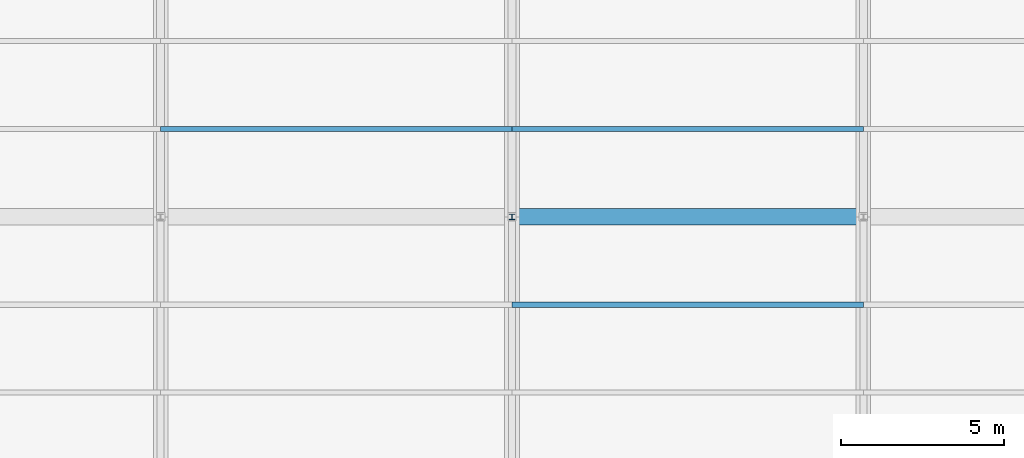
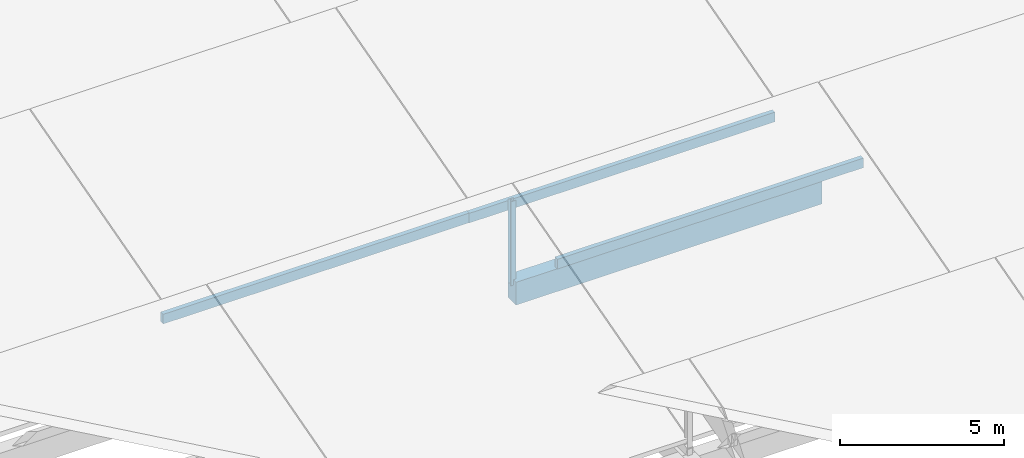
# One storey, part 12 of 112: 4 members, 1 beam.
"""IFC4 building model written with IfcOpenShell, lengths in metres."""

from ifc_helpers import new_model, si_unit, direction, frame, origin, origin_2d, place, context, subcontext, project, spatial, rectangle, i_section, extrude, material, material_profile, profile_set, type_object, element, save


model = new_model("IFC4")

# Units and contexts
model_context = context("Model", 3, precision=1e-05, world=origin(), true_north=direction((0.0, 1.0)))
body_context = subcontext(model_context, "Body", "Model", "MODEL_VIEW")
ifc_project = project(units=[si_unit("LENGTHUNIT", "METRE"), si_unit("AREAUNIT", "SQUARE_METRE"), si_unit("VOLUMEUNIT", "CUBIC_METRE"), si_unit("PLANEANGLEUNIT", "RADIAN"), si_unit("MASSUNIT", "GRAM", prefix="KILO")], contexts=[model_context])

# Site, building, storey
site_placement = place(None, origin())
site = spatial("IfcSite", under=ifc_project, at=site_placement, CompositionType="ELEMENT")
building_placement = place(site_placement, origin())
building = spatial("IfcBuilding", under=site, at=building_placement, Name="Zwinboog Wholesale Market", CompositionType="ELEMENT")
storey_placement = place(building_placement, frame((0.0, 0.0, 19.080078125)))
storey = spatial("IfcBuildingStorey", under=building, at=storey_placement, Name="Roof", CompositionType="ELEMENT", Elevation=19.080078125)

# Beam
ifc_material_1 = material(Name="Precast concrete C45/55", Category="concrete")
ifc_material_profile_1 = material_profile(ifc_material_1, rectangle(XDim=0.5, YDim=0.85009765625, at=origin_2d()), Name="PC 500x850")
ifc_profile_set_1 = profile_set([ifc_material_profile_1], Name="Precast concrete C45/55")
beam_type = type_object("IfcBeamType", Name="BT-03", PredefinedType="BEAM", material=ifc_profile_set_1)
beam_placement = place(storey_placement, frame((21.60009765625, 43.199951171875, -9.425048828125), z_axis=(1.0, 0.0, 0.0), x_axis=(0.0, 1.0, 0.0)))
element("IfcBeam", 1, at=beam_placement, inside=storey, type_object=beam_type, Name="BG-03 (BMG-Roof-0216-0432-1165)", PredefinedType="BEAM", context=body_context, shape_type="SweptSolid", body=[
    extrude(rectangle(XDim=0.5, YDim=0.85009765625, at=origin_2d()), origin(), (0.0, 0.0, 1.0), 10.7998046875),
])

# Members
ifc_material_2 = material(Name="Steel S355", Category="steel")
ifc_material_profile_2 = material_profile(ifc_material_2, i_section(OverallWidth=0.179931640625, OverallDepth=0.1708984375, WebThickness=0.006103515625, FlangeThickness=0.009521484375, FilletRadius=0.014892578125, at=origin_2d()), Name="HEA 180")
ifc_profile_set_2 = profile_set([ifc_material_profile_2], Name="Steel S355")
member_type_1 = type_object("IfcMemberType", Name="MT-07", PredefinedType="BRACE", material=ifc_profile_set_2)
member_1_placement = place(storey_placement, frame((21.60009765625, 43.199951171875, -9.2001953125), z_axis=(0.0, 0.0, 1.0), x_axis=(1.0, 0.0, 0.0)))
element("IfcMember", 2, at=member_1_placement, inside=storey, type_object=member_type_1, Name="DB-04 (MEM-Roof-0728)", PredefinedType="BRACE", context=body_context, shape_type="SweptSolid", body=[
    extrude(i_section(OverallWidth=0.179931640625, OverallDepth=0.1708984375, WebThickness=0.006103515625, FlangeThickness=0.009521484375, FilletRadius=0.014892578125, at=origin_2d()), origin(), (0.0, 0.0, 1.0), 3.134521484375),
])
ifc_material_3 = material(Name="Glulam GL28h", Category="wood")
ifc_material_profile_3 = material_profile(ifc_material_3, rectangle(XDim=0.159912109375, YDim=0.360107421875, at=origin_2d()), Name="GL28h 160x360")
ifc_profile_set_3 = profile_set([ifc_material_profile_3], Name="Glulam GL28h")
member_type_2 = type_object("IfcMemberType", Name="MT-12", PredefinedType="PURLIN", material=ifc_profile_set_3)
member_2_placement = place(storey_placement, frame((21.60009765625, 40.5, -6.785888671875), z_axis=(1.0, 0.0, 0.0), x_axis=(0.0, 1.0, 0.0)))
element("IfcMember", 3, at=member_2_placement, inside=storey, type_object=member_type_2, Name="GP-01 (MEM-Roof-0731)", PredefinedType="PURLIN", context=body_context, shape_type="SweptSolid", body=[
    extrude(rectangle(XDim=0.159912109375, YDim=0.360107421875, at=origin_2d()), origin(), (0.0, 0.0, 1.0), 10.7998046875),
])
member_3_placement = place(storey_placement, frame((10.800048828125, 45.89990234375, -8.333251953125), z_axis=(1.0, 0.0, 0.0), x_axis=(0.0, 1.0, 0.0)))
element("IfcMember", 4, at=member_3_placement, inside=storey, type_object=member_type_2, Name="GP-01 (MEM-Roof-0744)", PredefinedType="PURLIN", context=body_context, shape_type="SweptSolid", body=[
    extrude(rectangle(XDim=0.159912109375, YDim=0.360107421875, at=origin_2d()), origin(), (0.0, 0.0, 1.0), 10.800048828125),
])
member_4_placement = place(storey_placement, frame((21.60009765625, 45.89990234375, -8.345703125), z_axis=(1.0, 0.0, 0.0), x_axis=(0.0, 1.0, 0.0)))
element("IfcMember", 5, at=member_4_placement, inside=storey, type_object=member_type_2, Name="GP-01 (MEM-Roof-0748)", PredefinedType="PURLIN", context=body_context, shape_type="SweptSolid", body=[
    extrude(rectangle(XDim=0.159912109375, YDim=0.360107421875, at=origin_2d()), origin(), (0.0, 0.0, 1.0), 10.7998046875),
])

save(model, "model.ifc")
